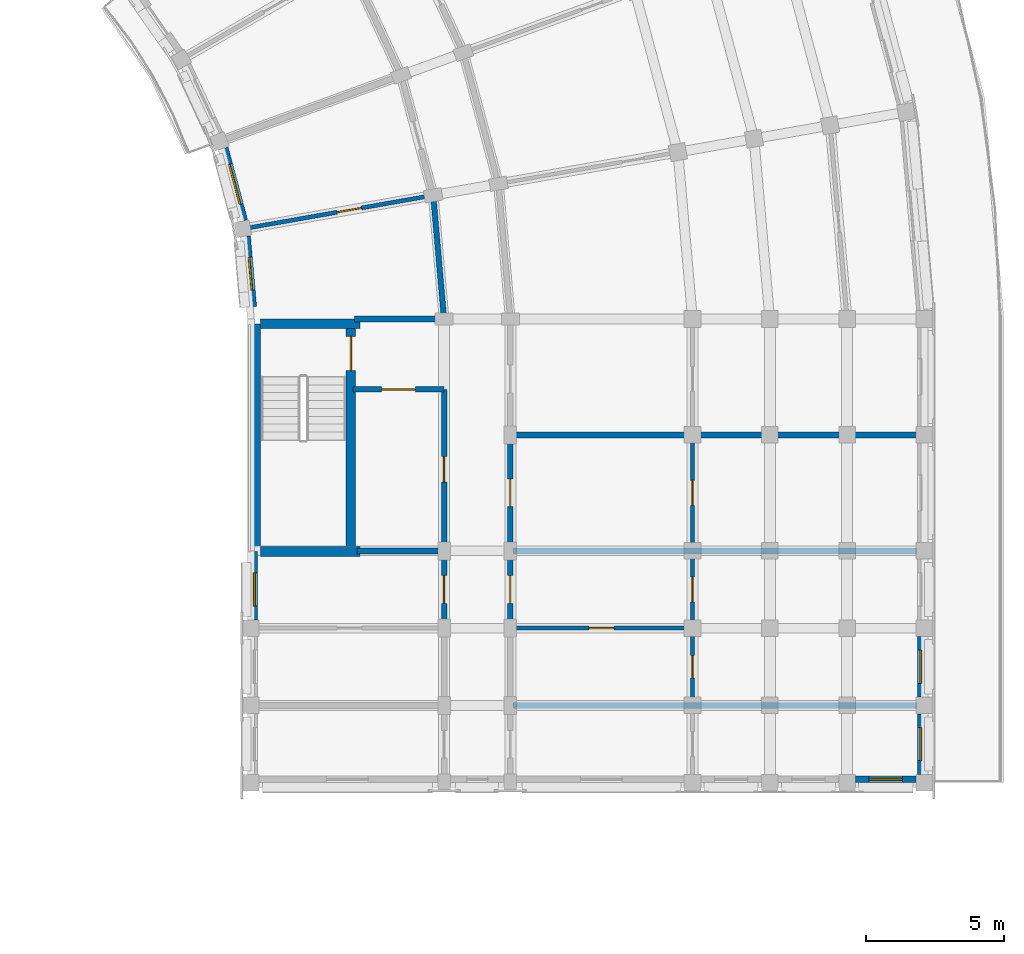
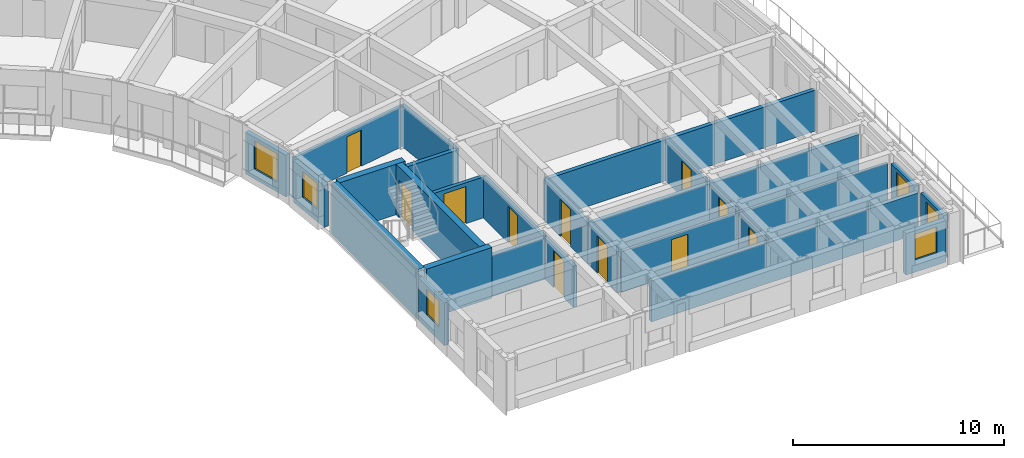
# One storey, part 32 of 53: 26 walls, 11 doors, 6 windows, 17 openings.
"""IFC4 building model written with IfcOpenShell, lengths in metres."""

from ifc_helpers import new_model, si_unit, direction, frame, frame_2d, origin, place, context, subcontext, project, spatial, rectangle, extrude, material, layer, layer_set, type_object, element, fill, save


model = new_model("IFC4")

# Units and contexts
model_context = context("Model", 3, precision=1e-05, world=origin(), true_north=direction((0.0, 1.0)))
body_context = subcontext(model_context, "Body", "Model", "MODEL_VIEW")
ifc_project = project(units=[si_unit("LENGTHUNIT", "METRE"), si_unit("AREAUNIT", "SQUARE_METRE"), si_unit("VOLUMEUNIT", "CUBIC_METRE"), si_unit("PLANEANGLEUNIT", "RADIAN"), si_unit("MASSUNIT", "GRAM", prefix="KILO")], contexts=[model_context])

# Site, building, storey
site_placement = place(None, origin())
site = spatial("IfcSite", under=ifc_project, at=site_placement, CompositionType="ELEMENT")
building_placement = place(site_placement, origin())
building = spatial("IfcBuilding", under=site, at=building_placement, Name="Kiranvali Square Residences", CompositionType="ELEMENT")
storey_placement = place(building_placement, frame((0.0, 0.0, 30.75)))
storey = spatial("IfcBuildingStorey", under=building, at=storey_placement, Name="L09", CompositionType="ELEMENT", Elevation=30.75)

# Wall, opening, door
ifc_material_1 = material(Name="Autoclaved aerated concrete blockwork masonry", Category="masonry")
ifc_layer_1 = layer(ifc_material_1, 0.199951171875)
ifc_layer_set_1 = layer_set([ifc_layer_1], Name="Autoclaved aerated concrete blockwork masonry")
wall_type_1 = type_object("IfcWallType", Name="WL-COR-200", PredefinedType="STANDARD", material=ifc_layer_set_1)
wall_1_placement = place(storey_placement, frame((142.300048828125, 85.25, 0.0), z_axis=(0.0, 0.0, 1.0), x_axis=(1.0, 0.0, 0.0)))
wall_1 = element("IfcWall", 1, at=wall_1_placement, inside=storey, type_object=wall_type_1, Name="L09 architectural wall WL-L09-B-S3-V", PredefinedType="STANDARD", context=body_context, shape_type="SweptSolid", body=[
    extrude(rectangle(XDim=3.300048828125, YDim=0.199951171875, at=frame_2d((1.64990234375, 0.0))), origin(), (0.0, 0.0, 1.0), 2.3720703125),
])
opening_1_placement = place(wall_1_placement, frame((1.0400390625, 0.0, 0.0)))
opening_1 = element("IfcOpeningElement", 2, at=opening_1_placement, cuts=wall_1, Name="Opening FD-COR-60", PredefinedType="OPENING", context=body_context, shape_type="SweptSolid", body=[
    extrude(rectangle(XDim=1.219970703125, YDim=2.14990234375, at=frame_2d((0.60986328125, 1.074951171875))), frame((0.0, 0.10986328125, 0.0), z_axis=(0.0, -1.0, 0.0), x_axis=(1.0, 0.0, 0.0)), (0.0, 0.0, 1.0), 0.219970703125),
])
ifc_material_2 = material(Name="Fire-rated acoustic hardwood and mineral-core door assembly", Category="wood")
door_type_1 = type_object("IfcDoorType", Name="DR-FD60-1200", OperationType="NOTDEFINED", PredefinedType="DOOR", material=ifc_material_2)
door_1_placement = place(opening_1_placement, frame((1.219970703125, 0.0, 0.0), z_axis=(0.0, 0.0, 1.0), x_axis=(-1.0, 0.0, 0.0)))
door_1 = element("IfcDoor", 3, at=door_1_placement, inside=storey, type_object=door_type_1, Name="L09 door DR-L09-1522 (DR-FD60-1200)", OperationType="SINGLE_SWING_RIGHT", OverallHeight=2.14990234375, OverallWidth=1.219970703125, PredefinedType="DOOR", context=body_context, shape_type="SweptSolid", body=[
    extrude(rectangle(XDim=1.219970703125, YDim=2.14990234375, at=frame_2d((0.60986328125, 1.074951171875))), frame((0.0, 0.02490234375, 0.0), z_axis=(0.0, -1.0, 0.0), x_axis=(1.0, 0.0, 0.0)), (0.0, 0.0, 1.0), 0.050048828125),
])
fill(opening_1, door_1)

wall_2_placement = place(storey_placement, frame((145.60009765625, 85.25, 0.0), z_axis=(0.0, 0.0, 1.0), x_axis=(0.0, -1.0, 0.0)))
wall_2 = element("IfcWall", 4, at=wall_2_placement, inside=storey, type_object=wall_type_1, Name="L09 architectural wall WL-L09-B-S3-COR", PredefinedType="STANDARD", context=body_context, shape_type="SweptSolid", body=[
    extrude(rectangle(XDim=5.800048828125, YDim=0.199951171875, at=frame_2d((2.89990234375, 0.0))), origin(), (0.0, 0.0, 1.0), 2.3720703125),
])
opening_2_placement = place(wall_2_placement, frame((2.43994140625, 0.0, 0.0)))
opening_2 = element("IfcOpeningElement", 5, at=opening_2_placement, cuts=wall_2, Name="Opening FD-SVC-120", PredefinedType="OPENING", context=body_context, shape_type="SweptSolid", body=[
    extrude(rectangle(XDim=0.919921875, YDim=2.10009765625, at=frame_2d((0.4599609375, 1.050048828125))), frame((0.0, 0.10986328125, 0.0), z_axis=(0.0, -1.0, 0.0), x_axis=(1.0, 0.0, 0.0)), (0.0, 0.0, 1.0), 0.219970703125),
])
door_type_2 = type_object("IfcDoorType", Name="DR-SVC-900", OperationType="NOTDEFINED", PredefinedType="DOOR", material=ifc_material_2)
door_2_placement = place(opening_2_placement, origin())
door_2 = element("IfcDoor", 6, at=door_2_placement, inside=storey, type_object=door_type_2, Name="L09 door DR-L09-1523 (DR-SVC-900)", OperationType="SINGLE_SWING_LEFT", OverallHeight=2.10009765625, OverallWidth=0.919921875, PredefinedType="DOOR", context=body_context, shape_type="SweptSolid", body=[
    extrude(rectangle(XDim=0.919921875, YDim=2.10009765625, at=frame_2d((0.4599609375, 1.050048828125))), frame((0.0, 0.02490234375, 0.0), z_axis=(0.0, -1.0, 0.0), x_axis=(1.0, 0.0, 0.0)), (0.0, 0.0, 1.0), 0.050048828125),
])
fill(opening_2, door_2)

# Wall
wall_3_placement = place(storey_placement, frame((145.2080078125, 92.280029296875, 0.0), z_axis=(0.0, 0.0, 1.0), x_axis=(0.087187153726, -0.996191949488, 0.0)))
element("IfcWall", 7, at=wall_3_placement, inside=storey, type_object=wall_type_1, Name="L09 architectural wall WL-L09-B-CCI-8", PredefinedType="STANDARD", context=body_context, shape_type="SweptSolid", body=[
    extrude(rectangle(XDim=4.4970703125, YDim=0.199951171875, at=frame_2d((2.24853515625, 0.0))), origin(), (0.0, 0.0, 1.0), 2.3720703125),
])

# Wall, opening, door
wall_4_placement = place(storey_placement, frame((148.0, 83.60009765625, 0.0), z_axis=(0.0, 0.0, 1.0), x_axis=(0.0, -1.0, 0.0)))
wall_4 = element("IfcWall", 8, at=wall_4_placement, inside=storey, type_object=wall_type_1, Name="L09 architectural wall WL-L09-B-A2CF-C1", PredefinedType="STANDARD", context=body_context, shape_type="SweptSolid", body=[
    extrude(rectangle(XDim=4.2001953125, YDim=0.199951171875, at=frame_2d((2.10009765625, 0.0))), origin(), (0.0, 0.0, 1.0), 2.3720703125),
])
opening_3_placement = place(wall_4_placement, frame((1.60009765625, 0.0, 0.0)))
opening_3 = element("IfcOpeningElement", 9, at=opening_3_placement, cuts=wall_4, Name="Opening FD-APT-60", PredefinedType="OPENING", context=body_context, shape_type="SweptSolid", body=[
    extrude(rectangle(XDim=1.0, YDim=2.14990234375, at=frame_2d((0.5, 1.074951171875))), frame((0.0, 0.10986328125, 0.0), z_axis=(0.0, -1.0, 0.0), x_axis=(1.0, 0.0, 0.0)), (0.0, 0.0, 1.0), 0.219970703125),
])
door_type_3 = type_object("IfcDoorType", Name="DR-APT-1000", OperationType="NOTDEFINED", PredefinedType="DOOR", material=ifc_material_2)
door_3_placement = place(opening_3_placement, frame((1.0, 0.0, 0.0), z_axis=(0.0, 0.0, 1.0), x_axis=(-1.0, 0.0, 0.0)))
door_3 = element("IfcDoor", 10, at=door_3_placement, inside=storey, type_object=door_type_3, Name="L09 door DR-L09-1566 (DR-APT-1000)", OperationType="SINGLE_SWING_RIGHT", OverallHeight=2.14990234375, OverallWidth=1.0, PredefinedType="DOOR", context=body_context, shape_type="SweptSolid", body=[
    extrude(rectangle(XDim=1.0, YDim=2.14990234375, at=frame_2d((0.5, 1.074951171875))), frame((0.0, 0.02490234375, 0.0), z_axis=(0.0, -1.0, 0.0), x_axis=(1.0, 0.0, 0.0)), (0.0, 0.0, 1.0), 0.050048828125),
])
fill(opening_3, door_3)

wall_5_placement = place(storey_placement, frame((145.60009765625, 79.39990234375, 0.0), z_axis=(0.0, 0.0, 1.0), x_axis=(0.0, -1.0, 0.0)))
wall_5 = element("IfcWall", 11, at=wall_5_placement, inside=storey, type_object=wall_type_1, Name="L09 architectural wall WL-L09-B-A2CI-0", PredefinedType="STANDARD", context=body_context, shape_type="SweptSolid", body=[
    extrude(rectangle(XDim=2.7998046875, YDim=0.199951171875, at=frame_2d((1.39990234375, 0.0))), origin(), (0.0, 0.0, 1.0), 2.3720703125),
])
opening_4_placement = place(wall_5_placement, frame((0.89990234375, 0.0, 0.0)))
opening_4 = element("IfcOpeningElement", 12, at=opening_4_placement, cuts=wall_5, Name="Opening FD-APT-60", PredefinedType="OPENING", context=body_context, shape_type="SweptSolid", body=[
    extrude(rectangle(XDim=1.0, YDim=2.14990234375, at=frame_2d((0.5, 1.074951171875))), frame((0.0, 0.10986328125, 0.0), z_axis=(0.0, -1.0, 0.0), x_axis=(1.0, 0.0, 0.0)), (0.0, 0.0, 1.0), 0.219970703125),
])
door_4_placement = place(opening_4_placement, frame((1.0, 0.0, 0.0), z_axis=(0.0, 0.0, 1.0), x_axis=(-1.0, 0.0, 0.0)))
door_4 = element("IfcDoor", 13, at=door_4_placement, inside=storey, type_object=door_type_3, Name="L09 door DR-L09-1568 (DR-APT-1000)", OperationType="SINGLE_SWING_RIGHT", OverallHeight=2.14990234375, OverallWidth=1.0, PredefinedType="DOOR", context=body_context, shape_type="SweptSolid", body=[
    extrude(rectangle(XDim=1.0, YDim=2.14990234375, at=frame_2d((0.5, 1.074951171875))), frame((0.0, 0.02490234375, 0.0), z_axis=(0.0, -1.0, 0.0), x_axis=(1.0, 0.0, 0.0)), (0.0, 0.0, 1.0), 0.050048828125),
])
fill(opening_4, door_4)

wall_6_placement = place(storey_placement, frame((148.0, 79.39990234375, 0.0), z_axis=(0.0, 0.0, 1.0), x_axis=(0.0, -1.0, 0.0)))
wall_6 = element("IfcWall", 14, at=wall_6_placement, inside=storey, type_object=wall_type_1, Name="L09 architectural wall WL-L09-B-A2CO-0", PredefinedType="STANDARD", context=body_context, shape_type="SweptSolid", body=[
    extrude(rectangle(XDim=2.7998046875, YDim=0.199951171875, at=frame_2d((1.39990234375, 0.0))), origin(), (0.0, 0.0, 1.0), 2.3720703125),
])
opening_5_placement = place(wall_6_placement, frame((0.89990234375, 0.0, 0.0)))
opening_5 = element("IfcOpeningElement", 15, at=opening_5_placement, cuts=wall_6, Name="Opening FD-APT-60", PredefinedType="OPENING", context=body_context, shape_type="SweptSolid", body=[
    extrude(rectangle(XDim=1.0, YDim=2.14990234375, at=frame_2d((0.5, 1.074951171875))), frame((0.0, 0.10986328125, 0.0), z_axis=(0.0, -1.0, 0.0), x_axis=(1.0, 0.0, 0.0)), (0.0, 0.0, 1.0), 0.219970703125),
])
door_5_placement = place(opening_5_placement, frame((1.0, 0.0, 0.0), z_axis=(0.0, 0.0, 1.0), x_axis=(-1.0, 0.0, 0.0)))
door_5 = element("IfcDoor", 16, at=door_5_placement, inside=storey, type_object=door_type_3, Name="L09 door DR-L09-1570 (DR-APT-1000)", OperationType="SINGLE_SWING_RIGHT", OverallHeight=2.14990234375, OverallWidth=1.0, PredefinedType="DOOR", context=body_context, shape_type="SweptSolid", body=[
    extrude(rectangle(XDim=1.0, YDim=2.14990234375, at=frame_2d((0.5, 1.074951171875))), frame((0.0, 0.02490234375, 0.0), z_axis=(0.0, -1.0, 0.0), x_axis=(1.0, 0.0, 0.0)), (0.0, 0.0, 1.0), 0.050048828125),
])
fill(opening_5, door_5)

# Walls
ifc_layer_2 = layer(ifc_material_1, 0.219970703125)
ifc_layer_set_2 = layer_set([ifc_layer_2], Name="Autoclaved aerated concrete blockwork masonry")
wall_type_2 = type_object("IfcWallType", Name="WL-DEM-220", PredefinedType="STANDARD", material=ifc_layer_set_2)
wall_7_placement = place(storey_placement, frame((142.35009765625, 87.800048828125, 0.0), z_axis=(0.0, 0.0, 1.0), x_axis=(1.0, 0.0, 0.0)))
element("IfcWall", 17, at=wall_7_placement, inside=storey, type_object=wall_type_2, Name="L09 architectural wall WL-L09-B-RADI-9", PredefinedType="STANDARD", context=body_context, shape_type="SweptSolid", body=[
    extrude(rectangle(XDim=3.199951171875, YDim=0.219970703125, at=frame_2d((1.60009765625, 0.0))), origin(), (0.0, 0.0, 1.0), 2.3720703125),
])
wall_8_placement = place(storey_placement, frame((148.050048828125, 83.60009765625, 0.0), z_axis=(0.0, 0.0, 1.0), x_axis=(1.0, 0.0, 0.0)))
element("IfcWall", 18, at=wall_8_placement, inside=storey, type_object=wall_type_2, Name="L09 architectural wall WL-L09-B-A2CF-MID", PredefinedType="STANDARD", context=body_context, shape_type="SweptSolid", body=[
    extrude(rectangle(XDim=14.72998046875, YDim=0.219970703125, at=frame_2d((7.364990234375, 0.0))), origin(), (0.0, 0.0, 1.0), 2.3720703125),
])
wall_9_placement = place(storey_placement, frame((142.449951171875, 79.39990234375, 0.0), z_axis=(0.0, 0.0, 1.0), x_axis=(1.0, 0.0, 0.0)))
element("IfcWall", 19, at=wall_9_placement, inside=storey, type_object=wall_type_2, Name="L09 architectural wall WL-L09-B-A2TI-0", PredefinedType="STANDARD", context=body_context, shape_type="SweptSolid", body=[
    extrude(rectangle(XDim=3.10009765625, YDim=0.219970703125, at=frame_2d((1.550048828125, 0.0))), origin(), (0.0, 0.0, 1.0), 2.3720703125),
])
for number, where, z_axis, x_axis, name in (
    (20, (148.10009765625, 79.39990234375, 0.0), (0.0, 0.0, 1.0), (1.0, 0.0, 0.0), "L09 architectural wall WL-L09-B-A2TO-0"),
    (21, (148.10009765625, 73.800048828125, 0.0), (0.0, 0.0, 1.0), (1.0, 0.0, 0.0), "L09 architectural wall WL-L09-B-A2TO-2"),
):
    element("IfcWall", number, at=place(storey_placement, frame(where, z_axis=z_axis, x_axis=x_axis)), inside=storey, type_object=wall_type_2, Name=name, PredefinedType="STANDARD", context=body_context, shape_type="SweptSolid", body=[
        extrude(rectangle(XDim=14.619873046875, YDim=0.219970703125, at=frame_2d((7.31005859375, 0.0))), origin(), (0.0, 0.0, 1.0), 2.3720703125),
    ])

# Wall, opening, window
ifc_material_3 = material(Name="Breathable lime-rendered clay brick masonry", Category="masonry")
ifc_layer_3 = layer(ifc_material_3, 0.25)
ifc_layer_set_3 = layer_set([ifc_layer_3], Name="Breathable lime-rendered clay brick masonry")
wall_type_3 = type_object("IfcWallType", Name="WL-EXT-250", PredefinedType="STANDARD", material=ifc_layer_set_3)
wall_10_placement = place(storey_placement, frame((137.6591796875, 93.9931640625, 0.0), z_axis=(0.0, 0.0, 1.0), x_axis=(0.258807879411, -0.965928818058, 0.0)))
wall_10 = element("IfcWall", 22, at=wall_10_placement, inside=storey, type_object=wall_type_3, Name="L09 exterior wall B-L09-GDN-07", PredefinedType="STANDARD", context=body_context, shape_type="SweptSolid", body=[
    extrude(rectangle(XDim=2.7197265625, YDim=0.25, at=frame_2d((1.35986328125, 0.0))), origin(), (0.0, 0.0, 1.0), 2.422119140625),
])
opening_6_placement = place(wall_10_placement, frame((0.60986328125, 0.0, 0.572021484375)))
opening_6 = element("IfcOpeningElement", 23, at=opening_6_placement, cuts=wall_10, Name="Opening W-05", PredefinedType="OPENING", context=body_context, shape_type="SweptSolid", body=[
    extrude(rectangle(XDim=1.5, YDim=1.64990234375, at=frame_2d((0.75, 0.824951171875))), frame((0.0, 0.135009765625, 0.0), z_axis=(0.0, -1.0, 0.0), x_axis=(1.0, 0.0, 0.0)), (0.0, 0.0, 1.0), 0.27001953125),
])
ifc_material_4 = material(Name="Solar-control low-e double glazing", Category="glass")
window_type_1 = type_object("IfcWindowType", Name="WIN-RES-1500x1650", PartitioningType="DOUBLE_PANEL_VERTICAL", PredefinedType="WINDOW", material=ifc_material_4)
window_1_placement = place(opening_6_placement, origin())
window_1 = element("IfcWindow", 24, at=window_1_placement, inside=storey, type_object=window_type_1, Name="L09 recessed window B-L09-GDN-07", OverallHeight=1.64990234375, OverallWidth=1.5, PartitioningType="DOUBLE_PANEL_VERTICAL", PredefinedType="WINDOW", context=body_context, shape_type="SweptSolid", body=[
    extrude(rectangle(XDim=1.5, YDim=1.64990234375, at=frame_2d((0.75, 0.824951171875))), frame((0.0, 0.030029296875, 0.0), z_axis=(0.0, -1.0, 0.0), x_axis=(1.0, 0.0, 0.0)), (0.0, 0.0, 1.0), 0.06005859375),
])
fill(opening_6, window_1)

wall_11_placement = place(storey_placement, frame((138.463134765625, 90.7978515625, 0.0), z_axis=(0.0, 0.0, 1.0), x_axis=(0.087222589008, -0.996188847542, 0.0)))
wall_11 = element("IfcWall", 25, at=wall_11_placement, inside=storey, type_object=wall_type_3, Name="L09 exterior wall B-L09-GDN-08", PredefinedType="STANDARD", context=body_context, shape_type="SweptSolid", body=[
    extrude(rectangle(XDim=2.558349609375, YDim=0.25, at=frame_2d((1.279296875, 0.0))), origin(), (0.0, 0.0, 1.0), 2.422119140625),
])
opening_7_placement = place(wall_11_placement, frame((0.759765625, 0.0, 0.721923828125)))
opening_7 = element("IfcOpeningElement", 26, at=opening_7_placement, cuts=wall_11, Name="Opening W-06", PredefinedType="OPENING", context=body_context, shape_type="SweptSolid", body=[
    extrude(rectangle(XDim=1.199951171875, YDim=1.5, at=frame_2d((0.60009765625, 0.75))), frame((0.0, 0.135009765625, 0.0), z_axis=(0.0, -1.0, 0.0), x_axis=(1.0, 0.0, 0.0)), (0.0, 0.0, 1.0), 0.27001953125),
])
window_type_2 = type_object("IfcWindowType", Name="WIN-RES-1200x1500", PartitioningType="SINGLE_PANEL", PredefinedType="WINDOW", material=ifc_material_4)
window_2_placement = place(opening_7_placement, origin())
window_2 = element("IfcWindow", 27, at=window_2_placement, inside=storey, type_object=window_type_2, Name="L09 recessed window B-L09-GDN-08", OverallHeight=1.5, OverallWidth=1.199951171875, PartitioningType="SINGLE_PANEL", PredefinedType="WINDOW", context=body_context, shape_type="SweptSolid", body=[
    extrude(rectangle(XDim=1.199951171875, YDim=1.5, at=frame_2d((0.60009765625, 0.75))), frame((0.0, 0.030029296875, 0.0), z_axis=(0.0, -1.0, 0.0), x_axis=(1.0, 0.0, 0.0)), (0.0, 0.0, 1.0), 0.06005859375),
])
fill(opening_7, window_2)

wall_12_placement = place(storey_placement, frame((162.875, 76.29638671875, 0.0), z_axis=(0.0, 0.0, 1.0), x_axis=(0.0, -1.0, 0.0)))
wall_12 = element("IfcWall", 28, at=wall_12_placement, inside=storey, type_object=wall_type_3, Name="L09 exterior wall B-L09-A2O-3", PredefinedType="STANDARD", context=body_context, shape_type="SweptSolid", body=[
    extrude(rectangle(XDim=2.19287109375, YDim=0.25, at=frame_2d((1.096435546875, 0.0))), origin(), (0.0, 0.0, 1.0), 2.47998046875),
])
opening_8_placement = place(wall_12_placement, frame((0.49658203125, 0.0, 0.780029296875)))
opening_8 = element("IfcOpeningElement", 29, at=opening_8_placement, cuts=wall_12, Name="Opening W-06", PredefinedType="OPENING", context=body_context, shape_type="SweptSolid", body=[
    extrude(rectangle(XDim=1.199951171875, YDim=1.5, at=frame_2d((0.60009765625, 0.75))), frame((0.0, 0.135009765625, 0.0), z_axis=(0.0, -1.0, 0.0), x_axis=(1.0, 0.0, 0.0)), (0.0, 0.0, 1.0), 0.27001953125),
])
window_3_placement = place(opening_8_placement, origin())
window_3 = element("IfcWindow", 30, at=window_3_placement, inside=storey, type_object=window_type_2, Name="L09 recessed window B-L09-A2O-3", OverallHeight=1.5, OverallWidth=1.199951171875, PartitioningType="SINGLE_PANEL", PredefinedType="WINDOW", context=body_context, shape_type="SweptSolid", body=[
    extrude(rectangle(XDim=1.199951171875, YDim=1.5, at=frame_2d((0.60009765625, 0.75))), frame((0.0, 0.030029296875, 0.0), z_axis=(0.0, -1.0, 0.0), x_axis=(1.0, 0.0, 0.0)), (0.0, 0.0, 1.0), 0.06005859375),
])
fill(opening_8, window_3)

wall_13_placement = place(storey_placement, frame((162.875, 73.49658203125, 0.0), z_axis=(0.0, 0.0, 1.0), x_axis=(0.0, -1.0, 0.0)))
wall_13 = element("IfcWall", 31, at=wall_13_placement, inside=storey, type_object=wall_type_3, Name="L09 exterior wall B-L09-A2O-4", PredefinedType="STANDARD", context=body_context, shape_type="SweptSolid", body=[
    extrude(rectangle(XDim=2.193115234375, YDim=0.25, at=frame_2d((1.0966796875, 0.0))), origin(), (0.0, 0.0, 1.0), 2.47998046875),
])
opening_9_placement = place(wall_13_placement, frame((0.49658203125, 0.0, 0.780029296875)))
opening_9 = element("IfcOpeningElement", 32, at=opening_9_placement, cuts=wall_13, Name="Opening W-06", PredefinedType="OPENING", context=body_context, shape_type="SweptSolid", body=[
    extrude(rectangle(XDim=1.199951171875, YDim=1.5, at=frame_2d((0.60009765625, 0.75))), frame((0.0, 0.135009765625, 0.0), z_axis=(0.0, -1.0, 0.0), x_axis=(1.0, 0.0, 0.0)), (0.0, 0.0, 1.0), 0.27001953125),
])
window_4_placement = place(opening_9_placement, origin())
window_4 = element("IfcWindow", 33, at=window_4_placement, inside=storey, type_object=window_type_2, Name="L09 recessed window B-L09-A2O-4", OverallHeight=1.5, OverallWidth=1.199951171875, PartitioningType="SINGLE_PANEL", PredefinedType="WINDOW", context=body_context, shape_type="SweptSolid", body=[
    extrude(rectangle(XDim=1.199951171875, YDim=1.5, at=frame_2d((0.60009765625, 0.75))), frame((0.0, 0.030029296875, 0.0), z_axis=(0.0, -1.0, 0.0), x_axis=(1.0, 0.0, 0.0)), (0.0, 0.0, 1.0), 0.06005859375),
])
fill(opening_9, window_4)

wall_14_placement = place(storey_placement, frame((138.72509765625, 79.37158203125, 0.0), z_axis=(0.0, 0.0, 1.0), x_axis=(0.0, -1.0, 0.0)))
wall_14 = element("IfcWall", 34, at=wall_14_placement, inside=storey, type_object=wall_type_3, Name="L09 exterior wall B-L09-A2I-0", PredefinedType="STANDARD", context=body_context, shape_type="SweptSolid", body=[
    extrude(rectangle(XDim=2.468017578125, YDim=0.25, at=frame_2d((1.23388671875, 0.0))), origin(), (0.0, 0.0, 1.0), 2.471923828125),
])
opening_10_placement = place(wall_14_placement, frame((0.771484375, 0.0, 0.77197265625)))
opening_10 = element("IfcOpeningElement", 35, at=opening_10_placement, cuts=wall_14, Name="Opening W-06", PredefinedType="OPENING", context=body_context, shape_type="SweptSolid", body=[
    extrude(rectangle(XDim=1.199951171875, YDim=1.5, at=frame_2d((0.60009765625, 0.75))), frame((0.0, 0.135009765625, 0.0), z_axis=(0.0, -1.0, 0.0), x_axis=(1.0, 0.0, 0.0)), (0.0, 0.0, 1.0), 0.27001953125),
])
window_5_placement = place(opening_10_placement, origin())
window_5 = element("IfcWindow", 36, at=window_5_placement, inside=storey, type_object=window_type_2, Name="L09 recessed window B-L09-A2I-0", OverallHeight=1.5, OverallWidth=1.199951171875, PartitioningType="SINGLE_PANEL", PredefinedType="WINDOW", context=body_context, shape_type="SweptSolid", body=[
    extrude(rectangle(XDim=1.199951171875, YDim=1.5, at=frame_2d((0.60009765625, 0.75))), frame((0.0, 0.030029296875, 0.0), z_axis=(0.0, -1.0, 0.0), x_axis=(1.0, 0.0, 0.0)), (0.0, 0.0, 1.0), 0.06005859375),
])
fill(opening_10, window_5)

wall_15_placement = place(storey_placement, frame((160.50341796875, 71.125, 0.0), z_axis=(0.0, 0.0, 1.0), x_axis=(1.0, 0.0, 0.0)))
wall_15 = element("IfcWall", 37, at=wall_15_placement, inside=storey, type_object=wall_type_3, Name="L09 exterior wall B-L09-A2END-5", PredefinedType="STANDARD", context=body_context, shape_type="SweptSolid", body=[
    extrude(rectangle(XDim=2.193115234375, YDim=0.25, at=frame_2d((1.0966796875, 0.0))), origin(), (0.0, 0.0, 1.0), 2.412109375),
])
opening_11_placement = place(wall_15_placement, frame((0.49658203125, 0.0, 0.7119140625)))
opening_11 = element("IfcOpeningElement", 38, at=opening_11_placement, cuts=wall_15, Name="Opening W-06", PredefinedType="OPENING", context=body_context, shape_type="SweptSolid", body=[
    extrude(rectangle(XDim=1.199951171875, YDim=1.5, at=frame_2d((0.60009765625, 0.75))), frame((0.0, 0.135009765625, 0.0), z_axis=(0.0, -1.0, 0.0), x_axis=(1.0, 0.0, 0.0)), (0.0, 0.0, 1.0), 0.27001953125),
])
window_6_placement = place(opening_11_placement, origin())
window_6 = element("IfcWindow", 39, at=window_6_placement, inside=storey, type_object=window_type_2, Name="L09 recessed window B-L09-A2END-5", OverallHeight=1.5, OverallWidth=1.199951171875, PartitioningType="SINGLE_PANEL", PredefinedType="WINDOW", context=body_context, shape_type="SweptSolid", body=[
    extrude(rectangle(XDim=1.199951171875, YDim=1.5, at=frame_2d((0.60009765625, 0.75))), frame((0.0, 0.030029296875, 0.0), z_axis=(0.0, -1.0, 0.0), x_axis=(1.0, 0.0, 0.0)), (0.0, 0.0, 1.0), 0.06005859375),
])
fill(opening_11, window_6)

# Wall, opening, door
ifc_material_5 = material(Name="Acoustic gypsum board drylined partition", Category="gypsum")
ifc_layer_4 = layer(ifc_material_5, 0.14990234375)
ifc_layer_set_4 = layer_set([ifc_layer_4], Name="Acoustic gypsum board drylined partition")
wall_type_4 = type_object("IfcWallType", Name="WL-PRT-150", PredefinedType="PARTITIONING", material=ifc_layer_set_4)
wall_16_placement = place(storey_placement, frame((138.51123046875, 91.099365234375, 0.0), z_axis=(0.0, 0.0, 1.0), x_axis=(0.984807944945, 0.173647089161, 0.0)))
wall_16 = element("IfcWall", 40, at=wall_16_placement, inside=storey, type_object=wall_type_4, Name="L09 architectural wall WL-L09-B-RADI-8", PredefinedType="PARTITIONING", context=body_context, shape_type="SweptSolid", body=[
    extrude(rectangle(XDim=6.75, YDim=0.14990234375, at=frame_2d((3.375, 0.0))), origin(), (0.0, 0.0, 1.0), 2.3720703125),
])
opening_12_placement = place(wall_16_placement, frame((3.262451171875, 0.0, 0.0)))
opening_12 = element("IfcOpeningElement", 41, at=opening_12_placement, cuts=wall_16, Name="Opening ID-1", PredefinedType="OPENING", context=body_context, shape_type="SweptSolid", body=[
    extrude(rectangle(XDim=0.89990234375, YDim=2.10009765625, at=frame_2d((0.449951171875, 1.050048828125))), frame((0.0, 0.0849609375, 0.0), z_axis=(0.0, -1.0, 0.0), x_axis=(1.0, 0.0, 0.0)), (0.0, 0.0, 1.0), 0.169921875),
])
ifc_material_6 = material(Name="Solid seasoned teak hardwood joinery", Category="wood")
door_type_4 = type_object("IfcDoorType", Name="DR-INT-900", OperationType="NOTDEFINED", PredefinedType="DOOR", material=ifc_material_6)
door_6_placement = place(opening_12_placement, origin())
door_6 = element("IfcDoor", 42, at=door_6_placement, inside=storey, type_object=door_type_4, Name="L09 door DR-L09-1549 (DR-INT-900)", OperationType="SINGLE_SWING_LEFT", OverallHeight=2.10009765625, OverallWidth=0.89990234375, PredefinedType="DOOR", context=body_context, shape_type="SweptSolid", body=[
    extrude(rectangle(XDim=0.89990234375, YDim=2.10009765625, at=frame_2d((0.449951171875, 1.050048828125))), frame((0.0, 0.02490234375, 0.0), z_axis=(0.0, -1.0, 0.0), x_axis=(1.0, 0.0, 0.0)), (0.0, 0.0, 1.0), 0.050048828125),
])
fill(opening_12, door_6)

wall_17_placement = place(storey_placement, frame((154.60009765625, 83.52001953125, 0.0), z_axis=(0.0, 0.0, 1.0), x_axis=(0.0, -1.0, 0.0)))
wall_17 = element("IfcWall", 43, at=wall_17_placement, inside=storey, type_object=wall_type_4, Name="L09 architectural wall WL-L09-B-A2CF-SP1", PredefinedType="PARTITIONING", context=body_context, shape_type="SweptSolid", body=[
    extrude(rectangle(XDim=4.0400390625, YDim=0.14990234375, at=frame_2d((2.02001953125, 0.0))), origin(), (0.0, 0.0, 1.0), 2.3720703125),
])
opening_13_placement = place(wall_17_placement, frame((1.570068359375, 0.0, 0.0)))
opening_13 = element("IfcOpeningElement", 44, at=opening_13_placement, cuts=wall_17, Name="Opening ID-1", PredefinedType="OPENING", context=body_context, shape_type="SweptSolid", body=[
    extrude(rectangle(XDim=0.89990234375, YDim=2.10009765625, at=frame_2d((0.449951171875, 1.050048828125))), frame((0.0, 0.0849609375, 0.0), z_axis=(0.0, -1.0, 0.0), x_axis=(1.0, 0.0, 0.0)), (0.0, 0.0, 1.0), 0.169921875),
])
door_7_placement = place(opening_13_placement, origin())
door_7 = element("IfcDoor", 45, at=door_7_placement, inside=storey, type_object=door_type_4, Name="L09 door DR-L09-1567 (DR-INT-900)", OperationType="SINGLE_SWING_LEFT", OverallHeight=2.10009765625, OverallWidth=0.89990234375, PredefinedType="DOOR", context=body_context, shape_type="SweptSolid", body=[
    extrude(rectangle(XDim=0.89990234375, YDim=2.10009765625, at=frame_2d((0.449951171875, 1.050048828125))), frame((0.0, 0.02490234375, 0.0), z_axis=(0.0, -1.0, 0.0), x_axis=(1.0, 0.0, 0.0)), (0.0, 0.0, 1.0), 0.050048828125),
])
fill(opening_13, door_7)

wall_18_placement = place(storey_placement, frame((148.10009765625, 76.60009765625, 0.0), z_axis=(0.0, 0.0, 1.0), x_axis=(1.0, 0.0, 0.0)))
wall_18 = element("IfcWall", 46, at=wall_18_placement, inside=storey, type_object=wall_type_4, Name="L09 architectural wall WL-L09-B-A2TO-1", PredefinedType="PARTITIONING", context=body_context, shape_type="SweptSolid", body=[
    extrude(rectangle(XDim=14.619873046875, YDim=0.14990234375, at=frame_2d((7.31005859375, 0.0))), origin(), (0.0, 0.0, 1.0), 2.3720703125),
])
opening_14_placement = place(wall_18_placement, frame((2.750244140625, 0.0, 0.0)))
opening_14 = element("IfcOpeningElement", 47, at=opening_14_placement, cuts=wall_18, Name="Opening ID-1", PredefinedType="OPENING", context=body_context, shape_type="SweptSolid", body=[
    extrude(rectangle(XDim=0.89990234375, YDim=2.10009765625, at=frame_2d((0.449951171875, 1.050048828125))), frame((0.0, 0.0849609375, 0.0), z_axis=(0.0, -1.0, 0.0), x_axis=(1.0, 0.0, 0.0)), (0.0, 0.0, 1.0), 0.169921875),
])
door_8_placement = place(opening_14_placement, origin())
door_8 = element("IfcDoor", 48, at=door_8_placement, inside=storey, type_object=door_type_4, Name="L09 door DR-L09-1573 (DR-INT-900)", OperationType="SINGLE_SWING_LEFT", OverallHeight=2.10009765625, OverallWidth=0.89990234375, PredefinedType="DOOR", context=body_context, shape_type="SweptSolid", body=[
    extrude(rectangle(XDim=0.89990234375, YDim=2.10009765625, at=frame_2d((0.449951171875, 1.050048828125))), frame((0.0, 0.02490234375, 0.0), z_axis=(0.0, -1.0, 0.0), x_axis=(1.0, 0.0, 0.0)), (0.0, 0.0, 1.0), 0.050048828125),
])
fill(opening_14, door_8)

# Wall
ifc_material_7 = material(Name="Concrete M45 (45 MPa)", Category="concrete")
ifc_layer_5 = layer(ifc_material_7, 0.320068359375)
ifc_layer_set_5 = layer_set([ifc_layer_5], Name="Concrete M45 (45 MPa)")
wall_type_5 = type_object("IfcWallType", Name="WL-SHR-320", PredefinedType="SHEAR", material=ifc_layer_set_5)
wall_19_placement = place(storey_placement, frame((138.77490234375, 87.625, 0.0), z_axis=(0.0, 0.0, 1.0), x_axis=(0.0, -1.0, 0.0)))
element("IfcWall", 49, at=wall_19_placement, inside=storey, type_object=wall_type_5, Name="Block B core shear wall SW-B3-OUT-L09", PredefinedType="SHEAR", context=body_context, shape_type="SweptSolid", body=[
    extrude(rectangle(XDim=8.25, YDim=0.35009765625, at=frame_2d((4.125, 0.0))), origin(), (0.0, 0.0, 1.0), 2.929931640625),
])

# Wall, opening, door
wall_20_placement = place(storey_placement, frame((142.22509765625, 87.449951171875, 0.0), z_axis=(0.0, 0.0, 1.0), x_axis=(0.0, -1.0, 0.0)))
wall_20 = element("IfcWall", 50, at=wall_20_placement, inside=storey, type_object=wall_type_5, Name="Block B core shear wall SW-B3-IN-L09", PredefinedType="SHEAR", context=body_context, shape_type="SweptSolid", body=[
    extrude(rectangle(XDim=7.89990234375, YDim=0.35009765625, at=frame_2d((3.949951171875, 0.0))), origin(), (0.0, 0.0, 1.0), 2.929931640625),
])
opening_15_placement = place(wall_20_placement, frame((0.280029296875, 0.0, 0.0)))
opening_15 = element("IfcOpeningElement", 51, at=opening_15_placement, cuts=wall_20, Name="Opening FD-ST-120", PredefinedType="OPENING", context=body_context, shape_type="SweptSolid", body=[
    extrude(rectangle(XDim=1.239990234375, YDim=2.14990234375, at=frame_2d((0.6201171875, 1.074951171875))), frame((0.0, 0.18505859375, 0.0), z_axis=(0.0, -1.0, 0.0), x_axis=(1.0, 0.0, 0.0)), (0.0, 0.0, 1.0), 0.3701171875),
])
door_type_5 = type_object("IfcDoorType", Name="DR-FD120-1200", OperationType="NOTDEFINED", PredefinedType="DOOR", material=ifc_material_2)
door_9_placement = place(opening_15_placement, frame((1.239990234375, 0.0, 0.0), z_axis=(0.0, 0.0, 1.0), x_axis=(-1.0, 0.0, 0.0)))
door_9 = element("IfcDoor", 52, at=door_9_placement, inside=storey, type_object=door_type_5, Name="L09 door DR-L09-1518 (DR-FD120-1200)", OperationType="SINGLE_SWING_RIGHT", OverallHeight=2.14990234375, OverallWidth=1.239990234375, PredefinedType="DOOR", context=body_context, shape_type="SweptSolid", body=[
    extrude(rectangle(XDim=1.239990234375, YDim=2.14990234375, at=frame_2d((0.6201171875, 1.074951171875))), frame((0.0, 0.02490234375, 0.0), z_axis=(0.0, -1.0, 0.0), x_axis=(1.0, 0.0, 0.0)), (0.0, 0.0, 1.0), 0.050048828125),
])
fill(opening_15, door_9)

# Walls
for number, where, z_axis, x_axis, name in (
    (53, (138.949951171875, 87.625, 0.0), (0.0, 0.0, 1.0), (1.0, 0.0, 0.0), "Block B core shear wall SW-B3-NEAR-L09"),
    (54, (138.949951171875, 79.375, 0.0), (0.0, 0.0, 1.0), (1.0, 0.0, 0.0), "Block B core shear wall SW-B3-FAR-L09"),
):
    element("IfcWall", number, at=place(storey_placement, frame(where, z_axis=z_axis, x_axis=x_axis)), inside=storey, type_object=wall_type_5, Name=name, PredefinedType="SHEAR", context=body_context, shape_type="SweptSolid", body=[
        extrude(rectangle(XDim=3.60009765625, YDim=0.35009765625, at=frame_2d((1.800048828125, 0.0))), origin(), (0.0, 0.0, 1.0), 2.929931640625),
    ])

# Wall, opening, door
ifc_layer_6 = layer(ifc_material_1, 0.14990234375)
ifc_layer_set_6 = layer_set([ifc_layer_6], Name="Autoclaved aerated concrete blockwork masonry")
wall_type_6 = type_object("IfcWallType", Name="WL-WET-150", PredefinedType="PLUMBINGWALL", material=ifc_layer_set_6)
wall_21_placement = place(storey_placement, frame((154.60009765625, 79.320068359375, 0.0), z_axis=(0.0, 0.0, 1.0), x_axis=(0.0, -1.0, 0.0)))
wall_21 = element("IfcWall", 55, at=wall_21_placement, inside=storey, type_object=wall_type_6, Name="L09 architectural wall WL-L09-B-A2SP-0", PredefinedType="PLUMBINGWALL", context=body_context, shape_type="SweptSolid", body=[
    extrude(rectangle(XDim=2.64013671875, YDim=0.14990234375, at=frame_2d((1.320068359375, 0.0))), origin(), (0.0, 0.0, 1.0), 2.3720703125),
])
opening_16_placement = place(wall_21_placement, frame((0.8701171875, 0.0, 0.0)))
opening_16 = element("IfcOpeningElement", 56, at=opening_16_placement, cuts=wall_21, Name="Opening ID-1", PredefinedType="OPENING", context=body_context, shape_type="SweptSolid", body=[
    extrude(rectangle(XDim=0.89990234375, YDim=2.10009765625, at=frame_2d((0.449951171875, 1.050048828125))), frame((0.0, 0.0849609375, 0.0), z_axis=(0.0, -1.0, 0.0), x_axis=(1.0, 0.0, 0.0)), (0.0, 0.0, 1.0), 0.169921875),
])
door_10_placement = place(opening_16_placement, origin())
door_10 = element("IfcDoor", 57, at=door_10_placement, inside=storey, type_object=door_type_4, Name="L09 door DR-L09-1569 (DR-INT-900)", OperationType="SINGLE_SWING_LEFT", OverallHeight=2.10009765625, OverallWidth=0.89990234375, PredefinedType="DOOR", context=body_context, shape_type="SweptSolid", body=[
    extrude(rectangle(XDim=0.89990234375, YDim=2.10009765625, at=frame_2d((0.449951171875, 1.050048828125))), frame((0.0, 0.02490234375, 0.0), z_axis=(0.0, -1.0, 0.0), x_axis=(1.0, 0.0, 0.0)), (0.0, 0.0, 1.0), 0.050048828125),
])
fill(opening_16, door_10)

wall_22_placement = place(storey_placement, frame((154.60009765625, 76.52001953125, 0.0), z_axis=(0.0, 0.0, 1.0), x_axis=(0.0, -1.0, 0.0)))
wall_22 = element("IfcWall", 58, at=wall_22_placement, inside=storey, type_object=wall_type_6, Name="L09 architectural wall WL-L09-B-A2SP-1", PredefinedType="PLUMBINGWALL", context=body_context, shape_type="SweptSolid", body=[
    extrude(rectangle(XDim=2.64013671875, YDim=0.14990234375, at=frame_2d((1.320068359375, 0.0))), origin(), (0.0, 0.0, 1.0), 2.3720703125),
])
opening_17_placement = place(wall_22_placement, frame((0.919921875, 0.0, 0.0)))
opening_17 = element("IfcOpeningElement", 59, at=opening_17_placement, cuts=wall_22, Name="Opening ID-WET", PredefinedType="OPENING", context=body_context, shape_type="SweptSolid", body=[
    extrude(rectangle(XDim=0.800048828125, YDim=2.10009765625, at=frame_2d((0.39990234375, 1.050048828125))), frame((0.0, 0.0849609375, 0.0), z_axis=(0.0, -1.0, 0.0), x_axis=(1.0, 0.0, 0.0)), (0.0, 0.0, 1.0), 0.169921875),
])
door_type_6 = type_object("IfcDoorType", Name="DR-WET-800", OperationType="NOTDEFINED", PredefinedType="DOOR", material=ifc_material_6)
door_11_placement = place(opening_17_placement, origin())
door_11 = element("IfcDoor", 60, at=door_11_placement, inside=storey, type_object=door_type_6, Name="L09 door DR-L09-1571 (DR-WET-800)", OperationType="SINGLE_SWING_LEFT", OverallHeight=2.10009765625, OverallWidth=0.800048828125, PredefinedType="DOOR", context=body_context, shape_type="SweptSolid", body=[
    extrude(rectangle(XDim=0.800048828125, YDim=2.10009765625, at=frame_2d((0.39990234375, 1.050048828125))), frame((0.0, 0.02490234375, 0.0), z_axis=(0.0, -1.0, 0.0), x_axis=(1.0, 0.0, 0.0)), (0.0, 0.0, 1.0), 0.050048828125),
])
fill(opening_17, door_11)

save(model, "model.ifc")
